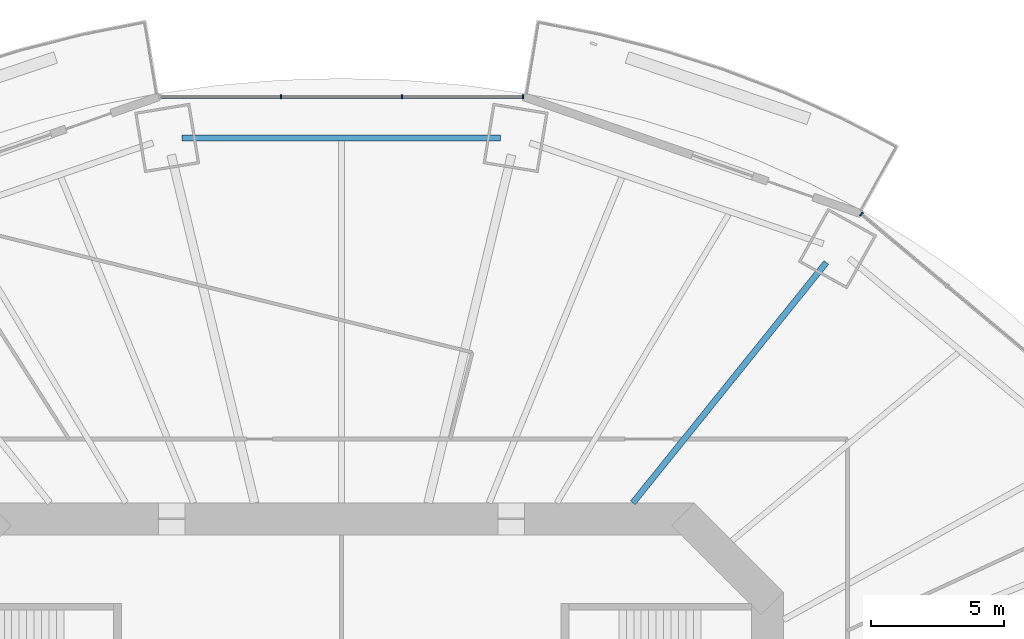
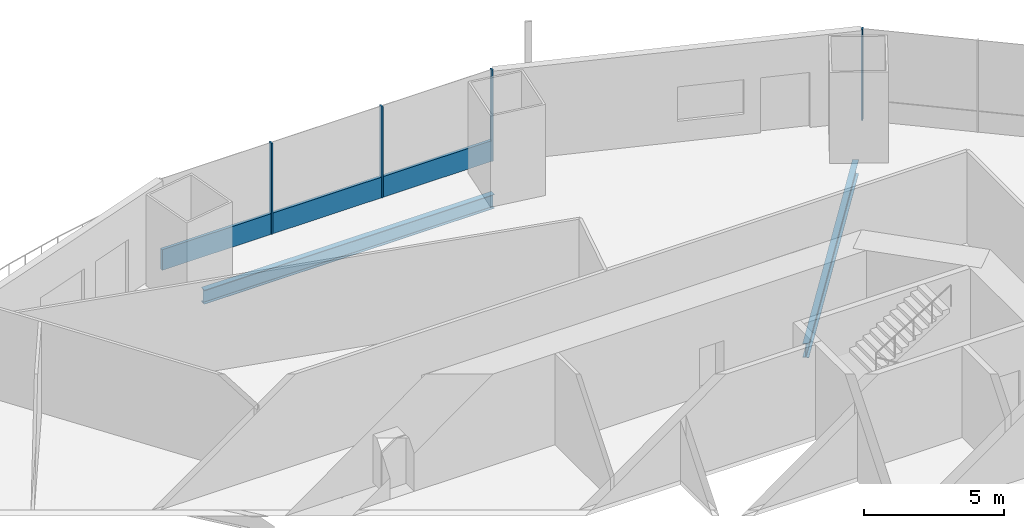
# One storey, part 9 of 22: 5 members, 2 beams, 2 elements without a shape of their own.
"""IFC4 building model written with IfcOpenShell, lengths in metres."""

from ifc_helpers import new_model, si_unit, direction, frame, origin, origin_2d, place, context, subcontext, project, spatial, rectangle, i_section, extrude, material, material_profile, profile_set, type_object, element, aggregate, save


model = new_model("IFC4")

# Units and contexts
model_context = context("Model", 3, precision=1e-05, world=origin(), true_north=direction((0.0, 1.0)))
body_context = subcontext(model_context, "Body", "Model", "MODEL_VIEW")
ifc_project = project(units=[si_unit("LENGTHUNIT", "METRE"), si_unit("AREAUNIT", "SQUARE_METRE"), si_unit("VOLUMEUNIT", "CUBIC_METRE"), si_unit("PLANEANGLEUNIT", "RADIAN"), si_unit("MASSUNIT", "GRAM", prefix="KILO")], contexts=[model_context])

# Site, building, storey
site_placement = place(None, origin())
site = spatial("IfcSite", under=ifc_project, at=site_placement, CompositionType="ELEMENT")
building_placement = place(site_placement, origin())
building = spatial("IfcBuilding", under=site, at=building_placement, Name="Marenthal Gate Tower", CompositionType="ELEMENT")
storey_placement = place(building_placement, frame((0.0, 0.0, 91.10009765625)))
storey = spatial("IfcBuildingStorey", under=building, at=storey_placement, Name="L18", CompositionType="ELEMENT", Elevation=91.10009765625)

# Curtain wall, member
ifc_material_1 = material(Name="Aluminium and glass", Category="aluminium")
curtain_wall_type = type_object("IfcCurtainWallType", Name="Curtain wall typical low", PredefinedType="NOTDEFINED", material=ifc_material_1)
curtain_wall_1_placement = place(storey_placement, origin())
curtain_wall_1 = element("IfcCurtainWall", 1, at=curtain_wall_1_placement, inside=storey, type_object=curtain_wall_type, Name="Curtain wall L18 bay 2", PredefinedType="NOTDEFINED")
ifc_material_2 = material(Name="Aluminium", Category="aluminium")
ifc_material_profile_1 = material_profile(ifc_material_2, rectangle(XDim=0.159912109375, YDim=0.06005859375, at=origin_2d()), Name="60x160 aluminium mullion")
ifc_profile_set_1 = profile_set([ifc_material_profile_1], Name="Aluminium")
member_type_1 = type_object("IfcMemberType", Name="Mullion 60x160 typical low", PredefinedType="MULLION", material=ifc_profile_set_1)
member_1_placement = place(storey_placement, frame((19.529541015625, 24.44091796875, 0.0), z_axis=(0.0, 0.0, 1.0), x_axis=(-0.642228281301, -0.766513427604, 0.0)))
member_1 = element("IfcMember", 2, at=member_1_placement, type_object=member_type_1, Name="Mullion L18 bay 2.4", PredefinedType="MULLION", context=body_context, shape_type="SweptSolid", body=[
    extrude(rectangle(XDim=0.159912109375, YDim=0.06005859375, at=origin_2d()), origin(), (0.0, 0.0, 1.0), 3.969970703125),
])
aggregate(curtain_wall_1, [member_1])

# Curtain wall, members
curtain_wall_2_placement = place(storey_placement, origin())
curtain_wall_2 = element("IfcCurtainWall", 3, at=curtain_wall_2_placement, inside=storey, type_object=curtain_wall_type, Name="Curtain wall L18 bay 4", PredefinedType="NOTDEFINED")
member_2_placement = place(storey_placement, frame((6.81982421875, 28.852783203125, 0.0), z_axis=(0.0, 0.0, 1.0), x_axis=(0.0, -1.0, 0.0)))
member_2 = element("IfcMember", 4, at=member_2_placement, type_object=member_type_1, Name="Mullion L18 bay 4.1", PredefinedType="MULLION", context=body_context, shape_type="SweptSolid", body=[
    extrude(rectangle(XDim=0.159912109375, YDim=0.06005859375, at=origin_2d()), origin(), (0.0, 0.0, 1.0), 3.969970703125),
])
member_3_placement = place(storey_placement, frame((2.273193359375, 28.852783203125, 0.0), z_axis=(0.0, 0.0, 1.0), x_axis=(0.0, -1.0, 0.0)))
member_3 = element("IfcMember", 5, at=member_3_placement, type_object=member_type_1, Name="Mullion L18 bay 4.2", PredefinedType="MULLION", context=body_context, shape_type="SweptSolid", body=[
    extrude(rectangle(XDim=0.159912109375, YDim=0.06005859375, at=origin_2d()), origin(), (0.0, 0.0, 1.0), 3.969970703125),
])
member_4_placement = place(storey_placement, frame((-2.273193359375, 28.852783203125, 0.0), z_axis=(0.0, 0.0, 1.0), x_axis=(0.0, -1.0, 0.0)))
member_4 = element("IfcMember", 6, at=member_4_placement, type_object=member_type_1, Name="Mullion L18 bay 4.3", PredefinedType="MULLION", context=body_context, shape_type="SweptSolid", body=[
    extrude(rectangle(XDim=0.159912109375, YDim=0.06005859375, at=origin_2d()), origin(), (0.0, 0.0, 1.0), 3.969970703125),
])
ifc_material_3 = material(Name="Aluminium", Category="aluminium")
ifc_material_profile_2 = material_profile(ifc_material_3, rectangle(XDim=0.1201171875, YDim=0.89990234375, at=origin_2d()), Name="120x900 aluminium transom")
ifc_profile_set_2 = profile_set([ifc_material_profile_2], Name="Aluminium")
member_type_2 = type_object("IfcMemberType", Name="Transom 120x900 typical low", PredefinedType="USERDEFINED", material=ifc_profile_set_2)
member_5_placement = place(storey_placement, frame((6.789794921875, 28.852783203125, 0.449951171875), z_axis=(-1.0, 0.0, 0.0), x_axis=(0.0, -1.0, 0.0)))
member_5 = element("IfcMember", 7, at=member_5_placement, type_object=member_type_2, Name="Transom L18 bay 4", ObjectType="TRANSOM", PredefinedType="USERDEFINED", context=body_context, shape_type="SweptSolid", body=[
    extrude(rectangle(XDim=0.1201171875, YDim=0.89990234375, at=origin_2d()), origin(), (0.0, 0.0, 1.0), 13.57958984375),
])
aggregate(curtain_wall_2, [member_2, member_3, member_4, member_5])

# Beams
ifc_material_4 = material(Name="Steel S355", Category="steel")
ifc_material_profile_3 = material_profile(ifc_material_4, i_section(OverallWidth=0.22900390625, OverallDepth=0.612060546875, WebThickness=0.011962890625, FlangeThickness=0.01953125, FilletRadius=0.0126953125, at=origin_2d()), Name="W610X125")
ifc_profile_set_3 = profile_set([ifc_material_profile_3], Name="Steel S355")
beam_type = type_object("IfcBeamType", Name="W610X125 beam", PredefinedType="BEAM", material=ifc_profile_set_3)
beam_1_placement = place(storey_placement, frame((18.210693359375, 22.626708984375, -0.486083984375), z_axis=(-0.626999737325, -0.779019466634, 0.0), x_axis=(0.779019466634, -0.626999737325, 0.0)))
element("IfcBeam", 8, at=beam_1_placement, inside=storey, type_object=beam_type, Name="BM-L18-03", PredefinedType="BEAM", context=body_context, shape_type="SweptSolid", body=[
    extrude(i_section(OverallWidth=0.22900390625, OverallDepth=0.612060546875, WebThickness=0.011962890625, FlangeThickness=0.01953125, FilletRadius=0.0126953125, at=origin_2d()), origin(), (0.0, 0.0, 1.0), 11.587158203125),
])
beam_2_placement = place(storey_placement, frame((5.977294921875, 27.302978515625, -0.486083984375), z_axis=(-1.0, 0.0, 0.0), x_axis=(0.0, -1.0, 0.0)))
element("IfcBeam", 9, at=beam_2_placement, inside=storey, type_object=beam_type, Name="BM-L18-44", PredefinedType="BEAM", context=body_context, shape_type="SweptSolid", body=[
    extrude(i_section(OverallWidth=0.22900390625, OverallDepth=0.612060546875, WebThickness=0.011962890625, FlangeThickness=0.01953125, FilletRadius=0.0126953125, at=origin_2d()), origin(), (0.0, 0.0, 1.0), 11.95458984375),
])

save(model, "model.ifc")
